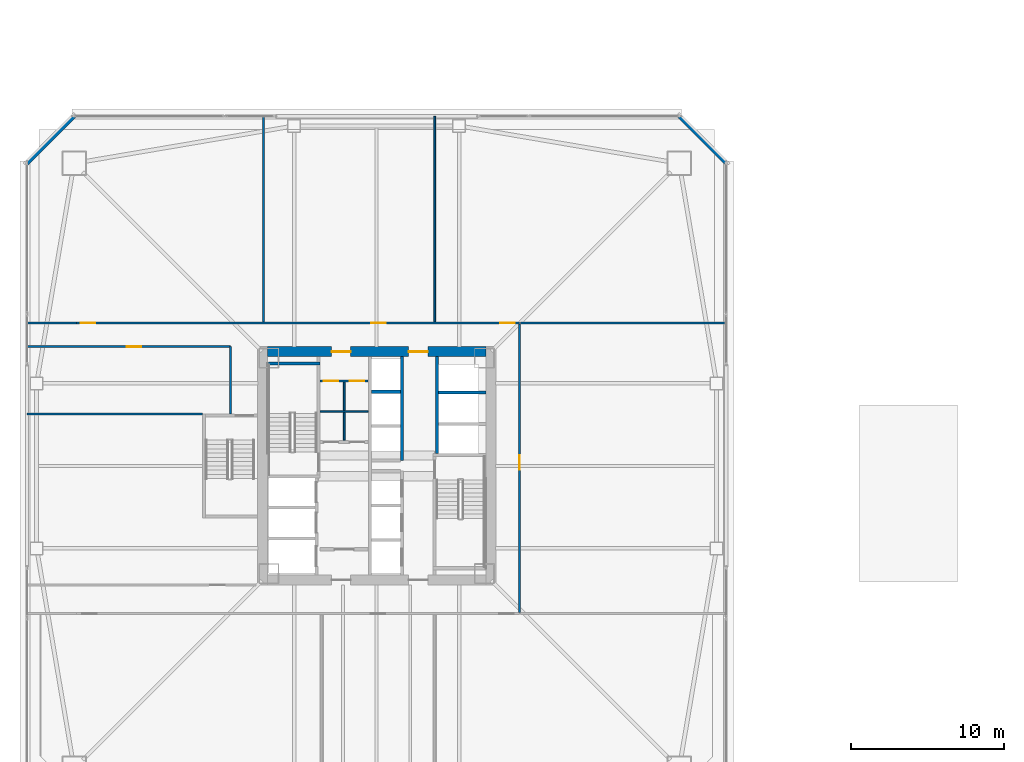
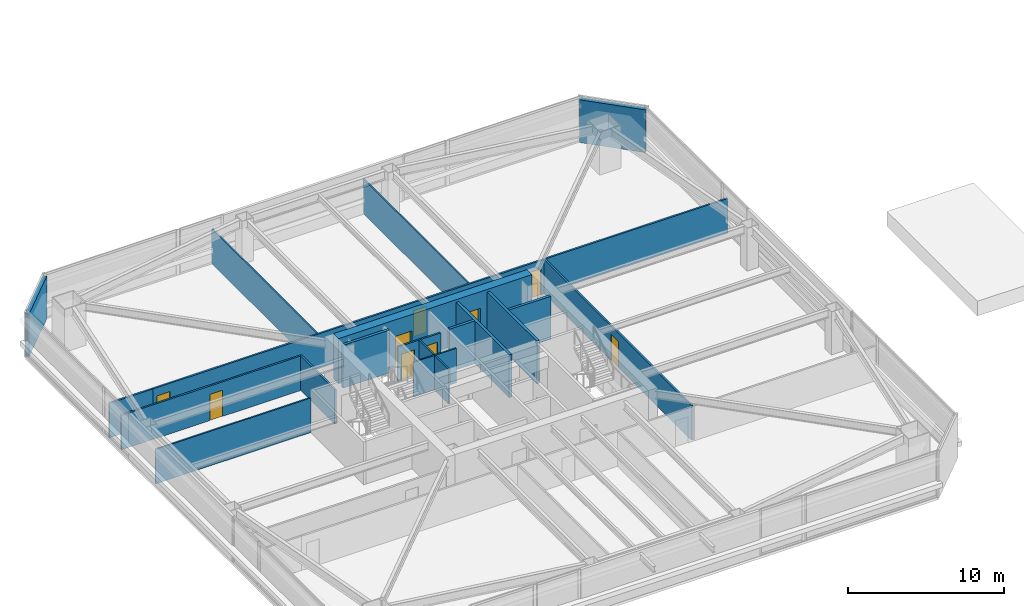
# One storey, part 35 of 46: 20 walls, 9 doors, 9 openings.
"""IFC4 building model written with IfcOpenShell, lengths in metres."""

from ifc_helpers import new_model, si_unit, direction, frame, frame_2d, origin, place, context, subcontext, project, spatial, rectangle, extrude, material, layer, layer_set, type_object, element, fill, save


model = new_model("IFC4")

# Units and contexts
model_context = context("Model", 3, precision=1e-05, world=origin(), true_north=direction((0.0, 1.0)))
body_context = subcontext(model_context, "Body", "Model", "MODEL_VIEW")
ifc_project = project(units=[si_unit("LENGTHUNIT", "METRE"), si_unit("AREAUNIT", "SQUARE_METRE"), si_unit("VOLUMEUNIT", "CUBIC_METRE"), si_unit("PLANEANGLEUNIT", "RADIAN"), si_unit("MASSUNIT", "GRAM", prefix="KILO")], contexts=[model_context])

# Site, building, storey
site_placement = place(None, origin())
site = spatial("IfcSite", under=ifc_project, at=site_placement, CompositionType="ELEMENT")
building_placement = place(site_placement, origin())
building = spatial("IfcBuilding", under=site, at=building_placement, Name="Tashvorn Skyway Center", CompositionType="ELEMENT")
storey_placement = place(building_placement, frame((0.0, 0.0, 31.699951171875)))
storey = spatial("IfcBuildingStorey", under=building, at=storey_placement, Name="L07", CompositionType="ELEMENT", Elevation=31.699951171875)

# Wall, openings, doors
ifc_material_1 = material(Name="Concrete C60/75", Category="concrete")
ifc_layer_1 = layer(ifc_material_1, 0.64990234375)
ifc_layer_set_1 = layer_set([ifc_layer_1], Name="Concrete C60/75")
wall_type_1 = type_object("IfcWallType", Name="WALL-CORE-650", PredefinedType="SHEAR", material=ifc_layer_set_1)
wall_1_placement = place(storey_placement, frame((34.85009765625, 39.47509765625, 0.0), z_axis=(0.0, 0.0, 1.0), x_axis=(1.0, 0.0, 0.0)))
wall_1 = element("IfcWall", 1, at=wall_1_placement, inside=storey, type_object=wall_type_1, Name="Tower 1 L07 North Core Shear Wall", PredefinedType="SHEAR", context=body_context, shape_type="SweptSolid", body=[
    extrude(rectangle(XDim=14.2998046875, YDim=0.64990234375, at=frame_2d((7.14990234375, 0.0))), origin(), (0.0, 0.0, 1.0), 3.550048828125),
])
opening_1_placement = place(wall_1_placement, frame((4.199951171875, 0.0, 0.0)))
opening_1 = element("IfcOpeningElement", 2, at=opening_1_placement, cuts=wall_1, Name="Opening D-FFL-1250", PredefinedType="OPENING", context=body_context, shape_type="SweptSolid", body=[
    extrude(rectangle(XDim=1.25, YDim=2.25, at=frame_2d((0.625, 1.125))), frame((0.0, 0.3349609375, 0.0), z_axis=(0.0, -1.0, 0.0), x_axis=(1.0, 0.0, 0.0)), (0.0, 0.0, 1.0), 0.669921875),
])
opening_2_placement = place(wall_1_placement, frame((9.25, 0.0, 0.0)))
opening_2 = element("IfcOpeningElement", 3, at=opening_2_placement, cuts=wall_1, Name="Opening D-FFL-1250", PredefinedType="OPENING", context=body_context, shape_type="SweptSolid", body=[
    extrude(rectangle(XDim=1.25, YDim=2.25, at=frame_2d((0.625, 1.125))), frame((0.0, 0.3349609375, 0.0), z_axis=(0.0, -1.0, 0.0), x_axis=(1.0, 0.0, 0.0)), (0.0, 0.0, 1.0), 0.669921875),
])
ifc_material_2 = material(Name="Hollow galvanized steel fire door assembly", Category="steel")
door_type_1 = type_object("IfcDoorType", Name="DOOR-FFL-1250", OperationType="NOTDEFINED", PredefinedType="DOOR", material=ifc_material_2)
door_1_placement = place(opening_1_placement, origin())
door_1 = element("IfcDoor", 4, at=door_1_placement, inside=storey, type_object=door_type_1, Name="Tower 1 L07 Core North Service Lobby Door", OperationType="SINGLE_SWING_LEFT", OverallHeight=2.25, OverallWidth=1.25, PredefinedType="DOOR", context=body_context, shape_type="SweptSolid", body=[
    extrude(rectangle(XDim=1.25, YDim=2.25, at=frame_2d((0.625, 1.125))), frame((0.0, 0.02490234375, 0.0), z_axis=(0.0, -1.0, 0.0), x_axis=(1.0, 0.0, 0.0)), (0.0, 0.0, 1.0), 0.050048828125),
])
fill(opening_1, door_1)
door_2_placement = place(opening_2_placement, origin())
door_2 = element("IfcDoor", 5, at=door_2_placement, inside=storey, type_object=door_type_1, Name="Tower 1 L07 Core North Lift Lobby Door", OperationType="SINGLE_SWING_RIGHT", OverallHeight=2.25, OverallWidth=1.25, PredefinedType="DOOR", context=body_context, shape_type="SweptSolid", body=[
    extrude(rectangle(XDim=1.25, YDim=2.25, at=frame_2d((0.625, 1.125))), frame((0.0, 0.02490234375, 0.0), z_axis=(0.0, -1.0, 0.0), x_axis=(1.0, 0.0, 0.0)), (0.0, 0.0, 1.0), 0.050048828125),
])
fill(opening_2, door_2)

# Walls
ifc_material_3 = material(Name="Precast concrete C40/50", Category="concrete")
ifc_layer_2 = layer(ifc_material_3, 0.280029296875)
ifc_layer_set_2 = layer_set([ifc_layer_2], Name="Precast concrete C40/50")
wall_type_2 = type_object("IfcWallType", Name="WALL-EXT-280", PredefinedType="SOLIDWALL", material=ifc_layer_set_2)
for number, where, z_axis, x_axis, name in (
    (6, (19.10009765625, 51.800048828125, 0.0), (0.0, 0.0, 1.0), (0.707106781187, 0.707106781187, 0.0), "Tower 1 L07 NW Precast Chamfer Wall"),
    (7, (61.800048828125, 54.89990234375, 0.0), (0.0, 0.0, 1.0), (0.707106781187, -0.707106781187, 0.0), "Tower 1 L07 NE Precast Chamfer Wall"),
):
    element("IfcWall", number, at=place(storey_placement, frame(where, z_axis=z_axis, x_axis=x_axis)), inside=storey, type_object=wall_type_2, Name=name, PredefinedType="SOLIDWALL", context=body_context, shape_type="SweptSolid", body=[
        extrude(rectangle(XDim=4.3837890625, YDim=0.280029296875, at=frame_2d((2.19189453125, 0.0))), origin(), (0.0, 0.0, 1.0), 3.35009765625),
    ])
ifc_material_4 = material(Name="Gypsum board on cold-formed steel stud framing", Category="steel")
ifc_layer_3 = layer(ifc_material_4, 0.110107421875)
ifc_layer_set_3 = layer_set([ifc_layer_3], Name="Gypsum board on cold-formed steel stud framing")
wall_type_3 = type_object("IfcWallType", Name="WALL-PART-110", PredefinedType="PARTITIONING", material=ifc_layer_set_3)
for number, where, z_axis, x_axis, name in (
    (8, (34.60009765625, 41.429931640625, 0.0), (0.0, 0.0, 1.0), (0.0, 1.0, 0.0), "Tower 1 L07 North Suite Partition 1"),
    (9, (45.800048828125, 41.429931640625, 0.0), (0.0, 0.0, 1.0), (0.0, 1.0, 0.0), "Tower 1 L07 North Suite Partition 2"),
):
    element("IfcWall", number, at=place(storey_placement, frame(where, z_axis=z_axis, x_axis=x_axis)), inside=storey, type_object=wall_type_3, Name=name, PredefinedType="PARTITIONING", context=body_context, shape_type="SweptSolid", body=[
        extrude(rectangle(XDim=13.449951171875, YDim=0.110107421875, at=frame_2d((6.72509765625, 0.0))), origin(), (0.0, 0.0, 1.0), 2.703125),
    ])
wall_2_placement = place(storey_placement, frame((30.60009765625, 35.39990234375, 0.0), z_axis=(0.0, 0.0, 1.0), x_axis=(-1.0, 0.0, 0.0)))
element("IfcWall", 10, at=wall_2_placement, inside=storey, type_object=wall_type_3, Name="Tower 1 L07 West Suite Partition 1", PredefinedType="PARTITIONING", context=body_context, shape_type="SweptSolid", body=[
    extrude(rectangle(XDim=11.47998046875, YDim=0.110107421875, at=frame_2d((5.739990234375, 0.0))), origin(), (0.0, 0.0, 1.0), 2.703125),
])
ifc_layer_4 = layer(ifc_material_4, 0.135009765625)
ifc_layer_set_4 = layer_set([ifc_layer_4], Name="Gypsum board on cold-formed steel stud framing")
wall_type_4 = type_object("IfcWallType", Name="WALL-PART-135", PredefinedType="PARTITIONING", material=ifc_layer_set_4)
wall_3_placement = place(storey_placement, frame((32.449951171875, 35.39990234375, 0.0), z_axis=(0.0, 0.0, 1.0), x_axis=(0.0, 1.0, 0.0)))
element("IfcWall", 11, at=wall_3_placement, inside=storey, type_object=wall_type_4, Name="Tower 1 L07 Stair 3 Access Corridor Wall", PredefinedType="PARTITIONING", context=body_context, shape_type="SweptSolid", body=[
    extrude(rectangle(XDim=4.400146484375, YDim=0.135009765625, at=frame_2d((2.2001953125, 0.0))), origin(), (0.0, 0.0, 1.0), 2.703125),
])

# Wall, openings, doors
wall_4_placement = place(storey_placement, frame((22.35009765625, 41.35009765625, 0.0), z_axis=(0.0, 0.0, 1.0), x_axis=(1.0, 0.0, 0.0)))
wall_4 = element("IfcWall", 12, at=wall_4_placement, inside=storey, type_object=wall_type_4, Name="Tower 1 L07 North Suite Wall", PredefinedType="PARTITIONING", context=body_context, shape_type="SweptSolid", body=[
    extrude(rectangle(XDim=29.0, YDim=0.135009765625, at=frame_2d((14.5, 0.0))), origin(), (0.0, 0.0, 1.0), 2.703125),
])
opening_3_placement = place(wall_4_placement, frame((0.300048828125, 0.0, 0.0)))
opening_3 = element("IfcOpeningElement", 13, at=opening_3_placement, cuts=wall_4, Name="Opening D-INT-950", PredefinedType="OPENING", context=body_context, shape_type="SweptSolid", body=[
    extrude(rectangle(XDim=0.949951171875, YDim=2.050048828125, at=frame_2d((0.47509765625, 1.02490234375))), frame((0.0, 0.077392578125, 0.0), z_axis=(0.0, -1.0, 0.0), x_axis=(1.0, 0.0, 0.0)), (0.0, 0.0, 1.0), 0.155029296875),
])
opening_4_placement = place(wall_4_placement, frame((19.298583984375, 0.0, 0.0)))
opening_4 = element("IfcOpeningElement", 14, at=opening_4_placement, cuts=wall_4, Name="Opening D-INT-950", PredefinedType="OPENING", context=body_context, shape_type="SweptSolid", body=[
    extrude(rectangle(XDim=0.949951171875, YDim=2.050048828125, at=frame_2d((0.47509765625, 1.02490234375))), frame((0.0, 0.077392578125, 0.0), z_axis=(0.0, -1.0, 0.0), x_axis=(1.0, 0.0, 0.0)), (0.0, 0.0, 1.0), 0.155029296875),
])
opening_5_placement = place(wall_4_placement, frame((27.75, 0.0, 0.0)))
opening_5 = element("IfcOpeningElement", 15, at=opening_5_placement, cuts=wall_4, Name="Opening D-INT-950", PredefinedType="OPENING", context=body_context, shape_type="SweptSolid", body=[
    extrude(rectangle(XDim=0.949951171875, YDim=2.050048828125, at=frame_2d((0.47509765625, 1.02490234375))), frame((0.0, 0.077392578125, 0.0), z_axis=(0.0, -1.0, 0.0), x_axis=(1.0, 0.0, 0.0)), (0.0, 0.0, 1.0), 0.155029296875),
])
ifc_material_5 = material(Name="Solid-core architectural oak veneer door")
door_type_2 = type_object("IfcDoorType", Name="DOOR-INT-950", OperationType="NOTDEFINED", PredefinedType="DOOR", material=ifc_material_5)
door_3_placement = place(opening_3_placement, origin())
door_3 = element("IfcDoor", 16, at=door_3_placement, inside=storey, type_object=door_type_2, Name="Tower 1 L07 Open Plan Office Door", OperationType="SINGLE_SWING_RIGHT", OverallHeight=2.050048828125, OverallWidth=0.949951171875, PredefinedType="DOOR", context=body_context, shape_type="SweptSolid", body=[
    extrude(rectangle(XDim=0.949951171875, YDim=2.050048828125, at=frame_2d((0.47509765625, 1.02490234375))), frame((0.0, 0.02490234375, 0.0), z_axis=(0.0, -1.0, 0.0), x_axis=(1.0, 0.0, 0.0)), (0.0, 0.0, 1.0), 0.050048828125),
])
fill(opening_3, door_3)
door_4_placement = place(opening_4_placement, origin())
door_4 = element("IfcDoor", 17, at=door_4_placement, inside=storey, type_object=door_type_2, Name="Tower 1 L07 Open Plan Office Door", OperationType="SINGLE_SWING_LEFT", OverallHeight=2.050048828125, OverallWidth=0.949951171875, PredefinedType="DOOR", context=body_context, shape_type="SweptSolid", body=[
    extrude(rectangle(XDim=0.949951171875, YDim=2.050048828125, at=frame_2d((0.47509765625, 1.02490234375))), frame((0.0, 0.02490234375, 0.0), z_axis=(0.0, -1.0, 0.0), x_axis=(1.0, 0.0, 0.0)), (0.0, 0.0, 1.0), 0.050048828125),
])
fill(opening_4, door_4)
door_5_placement = place(opening_5_placement, origin())
door_5 = element("IfcDoor", 18, at=door_5_placement, inside=storey, type_object=door_type_2, Name="Tower 1 L07 Catering Pantry Door", OperationType="SINGLE_SWING_RIGHT", OverallHeight=2.050048828125, OverallWidth=0.949951171875, PredefinedType="DOOR", context=body_context, shape_type="SweptSolid", body=[
    extrude(rectangle(XDim=0.949951171875, YDim=2.050048828125, at=frame_2d((0.47509765625, 1.02490234375))), frame((0.0, 0.02490234375, 0.0), z_axis=(0.0, -1.0, 0.0), x_axis=(1.0, 0.0, 0.0)), (0.0, 0.0, 1.0), 0.050048828125),
])
fill(opening_5, door_5)

# Wall
wall_5_placement = place(storey_placement, frame((19.1201171875, 41.35009765625, 0.0), z_axis=(0.0, 0.0, 1.0), x_axis=(1.0, 0.0, 0.0)))
element("IfcWall", 19, at=wall_5_placement, inside=storey, type_object=wall_type_4, Name="Tower 1 L07 North-West Suite South Wall", PredefinedType="PARTITIONING", context=body_context, shape_type="SweptSolid", body=[
    extrude(rectangle(XDim=3.22998046875, YDim=0.135009765625, at=frame_2d((1.614990234375, 0.0))), origin(), (0.0, 0.0, 1.0), 2.703125),
])

# Wall, opening, door
wall_6_placement = place(storey_placement, frame((51.35009765625, 41.27001953125, 0.0), z_axis=(0.0, 0.0, 1.0), x_axis=(0.0, -1.0, 0.0)))
wall_6 = element("IfcWall", 20, at=wall_6_placement, inside=storey, type_object=wall_type_4, Name="Tower 1 L07 East Inner Suite Wall", PredefinedType="PARTITIONING", context=body_context, shape_type="SweptSolid", body=[
    extrude(rectangle(XDim=18.860107421875, YDim=0.135009765625, at=frame_2d((9.43017578125, 0.0))), origin(), (0.0, 0.0, 1.0), 2.703125),
])
opening_6_placement = place(wall_6_placement, frame((8.57861328125, 0.0, 0.0)))
opening_6 = element("IfcOpeningElement", 21, at=opening_6_placement, cuts=wall_6, Name="Opening D-INT-950", PredefinedType="OPENING", context=body_context, shape_type="SweptSolid", body=[
    extrude(rectangle(XDim=0.949951171875, YDim=2.050048828125, at=frame_2d((0.47509765625, 1.02490234375))), frame((0.0, 0.077392578125, 0.0), z_axis=(0.0, -1.0, 0.0), x_axis=(1.0, 0.0, 0.0)), (0.0, 0.0, 1.0), 0.155029296875),
])
door_6_placement = place(opening_6_placement, origin())
door_6 = element("IfcDoor", 22, at=door_6_placement, inside=storey, type_object=door_type_2, Name="Tower 1 L07 Executive Study Lounge Door", OperationType="SINGLE_SWING_RIGHT", OverallHeight=2.050048828125, OverallWidth=0.949951171875, PredefinedType="DOOR", context=body_context, shape_type="SweptSolid", body=[
    extrude(rectangle(XDim=0.949951171875, YDim=2.050048828125, at=frame_2d((0.47509765625, 1.02490234375))), frame((0.0, 0.02490234375, 0.0), z_axis=(0.0, -1.0, 0.0), x_axis=(1.0, 0.0, 0.0)), (0.0, 0.0, 1.0), 0.050048828125),
])
fill(opening_6, door_6)

# Wall
wall_7_placement = place(storey_placement, frame((64.8798828125, 41.35009765625, 0.0), z_axis=(0.0, 0.0, 1.0), x_axis=(-1.0, 0.0, 0.0)))
element("IfcWall", 23, at=wall_7_placement, inside=storey, type_object=wall_type_4, Name="Tower 1 L07 East Suite North Wall", PredefinedType="PARTITIONING", context=body_context, shape_type="SweptSolid", body=[
    extrude(rectangle(XDim=13.449951171875, YDim=0.135009765625, at=frame_2d((6.72509765625, 0.0))), origin(), (0.0, 0.0, 1.0), 2.703125),
])

# Wall, opening, door
wall_8_placement = place(storey_placement, frame((32.449951171875, 39.800048828125, 0.0), z_axis=(0.0, 0.0, 1.0), x_axis=(-1.0, 0.0, 0.0)))
wall_8 = element("IfcWall", 24, at=wall_8_placement, inside=storey, type_object=wall_type_4, Name="Tower 1 L07 West Suite North Wall", PredefinedType="PARTITIONING", context=body_context, shape_type="SweptSolid", body=[
    extrude(rectangle(XDim=13.329833984375, YDim=0.135009765625, at=frame_2d((6.6650390625, 0.0))), origin(), (0.0, 0.0, 1.0), 2.703125),
])
opening_7_placement = place(wall_8_placement, frame((5.840087890625, 0.0, 0.0)))
opening_7 = element("IfcOpeningElement", 25, at=opening_7_placement, cuts=wall_8, Name="Opening D-INT-950", PredefinedType="OPENING", context=body_context, shape_type="SweptSolid", body=[
    extrude(rectangle(XDim=0.949951171875, YDim=2.050048828125, at=frame_2d((0.47509765625, 1.02490234375))), frame((0.0, 0.077392578125, 0.0), z_axis=(0.0, -1.0, 0.0), x_axis=(1.0, 0.0, 0.0)), (0.0, 0.0, 1.0), 0.155029296875),
])
door_7_placement = place(opening_7_placement, origin())
door_7 = element("IfcDoor", 26, at=door_7_placement, inside=storey, type_object=door_type_2, Name="Tower 1 L07 Staff Fitness Club Door", OperationType="SINGLE_SWING_LEFT", OverallHeight=2.050048828125, OverallWidth=0.949951171875, PredefinedType="DOOR", context=body_context, shape_type="SweptSolid", body=[
    extrude(rectangle(XDim=0.949951171875, YDim=2.050048828125, at=frame_2d((0.47509765625, 1.02490234375))), frame((0.0, 0.02490234375, 0.0), z_axis=(0.0, -1.0, 0.0), x_axis=(1.0, 0.0, 0.0)), (0.0, 0.0, 1.0), 0.050048828125),
])
fill(opening_7, door_7)

# Walls
ifc_layer_5 = layer(ifc_material_4, 0.110107421875)
ifc_layer_set_5 = layer_set([ifc_layer_5], Name="Gypsum board on cold-formed steel stud framing")
wall_type_5 = type_object("IfcWallType", Name="WALL-RATED-110", PredefinedType="PARTITIONING", material=ifc_layer_set_5)
wall_9_placement = place(storey_placement, frame((39.8798828125, 33.679931640625, 0.0), z_axis=(0.0, 0.0, 1.0), x_axis=(0.0, 1.0, 0.0)))
element("IfcWall", 27, at=wall_9_placement, inside=storey, type_object=wall_type_5, Name="Tower 1 L07 Core Cross Vertical", PredefinedType="PARTITIONING", context=body_context, shape_type="SweptSolid", body=[
    extrude(rectangle(XDim=3.800048828125, YDim=0.110107421875, at=frame_2d((1.89990234375, 0.0))), origin(), (0.0, 0.0, 1.0), 2.703125),
])
wall_10_placement = place(storey_placement, frame((38.300048828125, 35.550048828125, 0.0), z_axis=(0.0, 0.0, 1.0), x_axis=(1.0, 0.0, 0.0)))
element("IfcWall", 28, at=wall_10_placement, inside=storey, type_object=wall_type_5, Name="Tower 1 L07 Core Cross Horizontal", PredefinedType="PARTITIONING", context=body_context, shape_type="SweptSolid", body=[
    extrude(rectangle(XDim=3.14990234375, YDim=0.110107421875, at=frame_2d((1.574951171875, 0.0))), origin(), (0.0, 0.0, 1.0), 2.703125),
])

# Wall, openings, doors
ifc_layer_6 = layer(ifc_material_4, 0.135009765625)
ifc_layer_set_6 = layer_set([ifc_layer_6], Name="Gypsum board on cold-formed steel stud framing")
wall_type_6 = type_object("IfcWallType", Name="WALL-RATED-135", PredefinedType="PARTITIONING", material=ifc_layer_set_6)
wall_11_placement = place(storey_placement, frame((38.300048828125, 37.550048828125, 0.0), z_axis=(0.0, 0.0, 1.0), x_axis=(1.0, 0.0, 0.0)))
wall_11 = element("IfcWall", 29, at=wall_11_placement, inside=storey, type_object=wall_type_6, Name="Tower 1 L07 Core Service Lobby Wall", PredefinedType="PARTITIONING", context=body_context, shape_type="SweptSolid", body=[
    extrude(rectangle(XDim=3.14990234375, YDim=0.135009765625, at=frame_2d((1.574951171875, 0.0))), origin(), (0.0, 0.0, 1.0), 2.703125),
])
opening_8_placement = place(wall_11_placement, frame((0.25, 0.0, 0.0)))
opening_8 = element("IfcOpeningElement", 30, at=opening_8_placement, cuts=wall_11, Name="Opening D-RT-950", PredefinedType="OPENING", context=body_context, shape_type="SweptSolid", body=[
    extrude(rectangle(XDim=0.949951171875, YDim=2.050048828125, at=frame_2d((0.47509765625, 1.02490234375))), frame((0.0, 0.077392578125, 0.0), z_axis=(0.0, -1.0, 0.0), x_axis=(1.0, 0.0, 0.0)), (0.0, 0.0, 1.0), 0.155029296875),
])
opening_9_placement = place(wall_11_placement, frame((1.949951171875, 0.0, 0.0)))
opening_9 = element("IfcOpeningElement", 31, at=opening_9_placement, cuts=wall_11, Name="Opening D-RT-950", PredefinedType="OPENING", context=body_context, shape_type="SweptSolid", body=[
    extrude(rectangle(XDim=0.949951171875, YDim=2.050048828125, at=frame_2d((0.47509765625, 1.02490234375))), frame((0.0, 0.077392578125, 0.0), z_axis=(0.0, -1.0, 0.0), x_axis=(1.0, 0.0, 0.0)), (0.0, 0.0, 1.0), 0.155029296875),
])
door_type_3 = type_object("IfcDoorType", Name="DOOR-RATED-950", OperationType="NOTDEFINED", PredefinedType="DOOR", material=ifc_material_2)
door_8_placement = place(opening_8_placement, origin())
door_8 = element("IfcDoor", 32, at=door_8_placement, inside=storey, type_object=door_type_3, Name="Tower 1 L07 Core Cleaner Store Door", OperationType="SINGLE_SWING_LEFT", OverallHeight=2.050048828125, OverallWidth=0.949951171875, PredefinedType="DOOR", context=body_context, shape_type="SweptSolid", body=[
    extrude(rectangle(XDim=0.949951171875, YDim=2.050048828125, at=frame_2d((0.47509765625, 1.02490234375))), frame((0.0, 0.02490234375, 0.0), z_axis=(0.0, -1.0, 0.0), x_axis=(1.0, 0.0, 0.0)), (0.0, 0.0, 1.0), 0.050048828125),
])
fill(opening_8, door_8)
door_9_placement = place(opening_9_placement, origin())
door_9 = element("IfcDoor", 33, at=door_9_placement, inside=storey, type_object=door_type_3, Name="Tower 1 L07 Core Accessible WC Door", OperationType="SINGLE_SWING_RIGHT", OverallHeight=2.050048828125, OverallWidth=0.949951171875, PredefinedType="DOOR", context=body_context, shape_type="SweptSolid", body=[
    extrude(rectangle(XDim=0.949951171875, YDim=2.050048828125, at=frame_2d((0.47509765625, 1.02490234375))), frame((0.0, 0.02490234375, 0.0), z_axis=(0.0, -1.0, 0.0), x_axis=(1.0, 0.0, 0.0)), (0.0, 0.0, 1.0), 0.050048828125),
])
fill(opening_9, door_9)

# Walls
ifc_material_6 = material(Name="Concrete C40/50", Category="concrete")
ifc_layer_7 = layer(ifc_material_6, 0.199951171875)
ifc_layer_set_7 = layer_set([ifc_layer_7], Name="Concrete C40/50")
wall_type_7 = type_object("IfcWallType", Name="WALL-SHAFT-200", PredefinedType="SOLIDWALL", material=ifc_layer_set_7)
wall_12_placement = place(storey_placement, frame((46.050048828125, 36.800048828125, 0.0), z_axis=(0.0, 0.0, 1.0), x_axis=(1.0, 0.0, 0.0)))
element("IfcWall", 34, at=wall_12_placement, inside=storey, type_object=wall_type_7, Name="Tower 1 L07 High-Rise Shaft Divider", PredefinedType="SOLIDWALL", context=body_context, shape_type="SweptSolid", body=[
    extrude(rectangle(XDim=3.099853515625, YDim=0.199951171875, at=frame_2d((1.5498046875, 0.0))), origin(), (0.0, 0.0, 1.0), 3.35009765625),
])
wall_13_placement = place(storey_placement, frame((43.64990234375, 32.35009765625, 0.0), z_axis=(0.0, 0.0, 1.0), x_axis=(0.0, 1.0, 0.0)))
element("IfcWall", 35, at=wall_13_placement, inside=storey, type_object=wall_type_7, Name="Tower 1 L07 Mid-Rise Core Wall", PredefinedType="SOLIDWALL", context=body_context, shape_type="SweptSolid", body=[
    extrude(rectangle(XDim=6.7998046875, YDim=0.199951171875, at=frame_2d((3.39990234375, 0.0))), origin(), (0.0, 0.0, 1.0), 3.35009765625),
])
wall_14_placement = place(storey_placement, frame((41.669921875, 36.85009765625, 0.0), z_axis=(0.0, 0.0, 1.0), x_axis=(1.0, 0.0, 0.0)))
element("IfcWall", 36, at=wall_14_placement, inside=storey, type_object=wall_type_7, Name="Tower 1 L07 Mid-Rise Shaft Divider", PredefinedType="SOLIDWALL", context=body_context, shape_type="SweptSolid", body=[
    extrude(rectangle(XDim=1.880126953125, YDim=0.199951171875, at=frame_2d((0.93994140625, 0.0))), origin(), (0.0, 0.0, 1.0), 3.35009765625),
])
ifc_layer_8 = layer(ifc_material_6, 0.199951171875)
ifc_layer_set_8 = layer_set([ifc_layer_8], Name="Concrete C40/50")
wall_type_8 = type_object("IfcWallType", Name="WALL-STSHF-200", PredefinedType="SHEAR", material=ifc_layer_set_8)
wall_15_placement = place(storey_placement, frame((34.85009765625, 38.699951171875, 0.0), z_axis=(0.0, 0.0, 1.0), x_axis=(1.0, 0.0, 0.0)))
element("IfcWall", 37, at=wall_15_placement, inside=storey, type_object=wall_type_8, Name="Tower 1 L07 Stair 1 North Wall", PredefinedType="SHEAR", context=body_context, shape_type="SweptSolid", body=[
    extrude(rectangle(XDim=3.449951171875, YDim=0.199951171875, at=frame_2d((1.72509765625, 0.0))), origin(), (0.0, 0.0, 1.0), 3.35009765625),
])
wall_16_placement = place(storey_placement, frame((45.949951171875, 39.14990234375, 0.0), z_axis=(0.0, 0.0, 1.0), x_axis=(0.0, -1.0, 0.0)))
element("IfcWall", 38, at=wall_16_placement, inside=storey, type_object=wall_type_8, Name="Tower 1 L07 High-Rise Lift Shaft Front Wall", PredefinedType="SHEAR", context=body_context, shape_type="SweptSolid", body=[
    extrude(rectangle(XDim=6.349853515625, YDim=0.199951171875, at=frame_2d((3.1748046875, 0.0))), origin(), (0.0, 0.0, 1.0), 3.35009765625),
])

save(model, "model.ifc")
